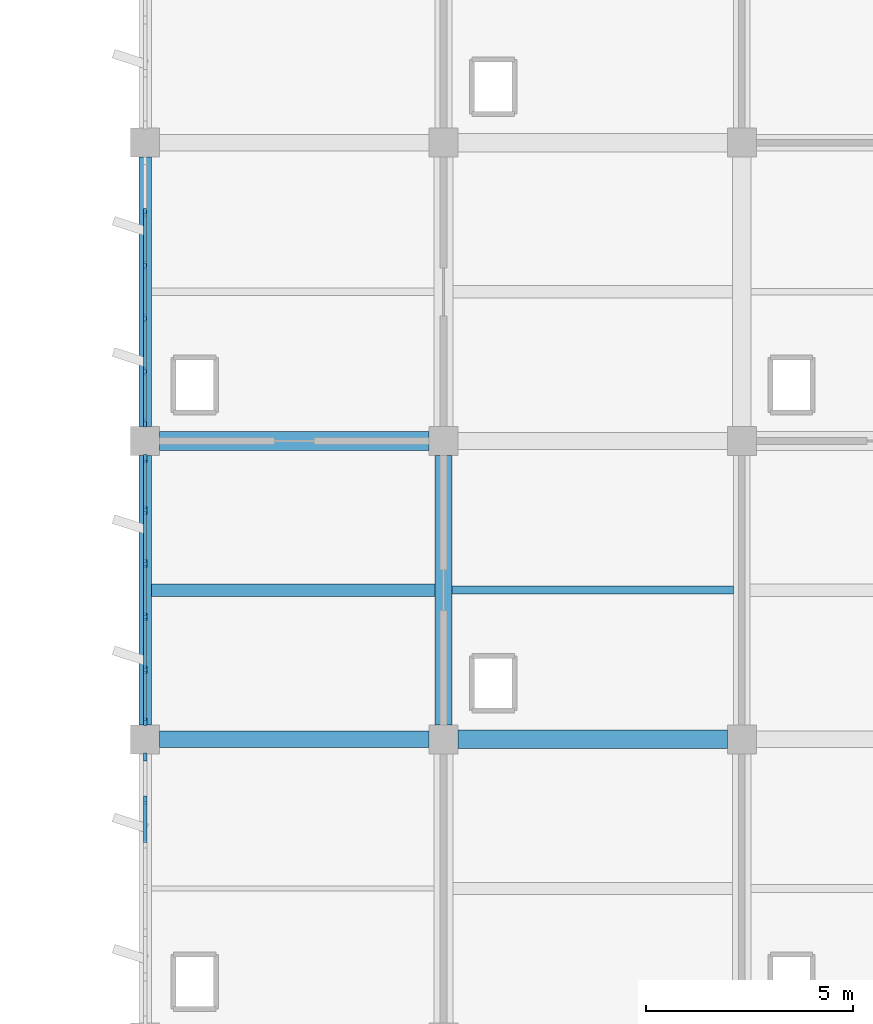
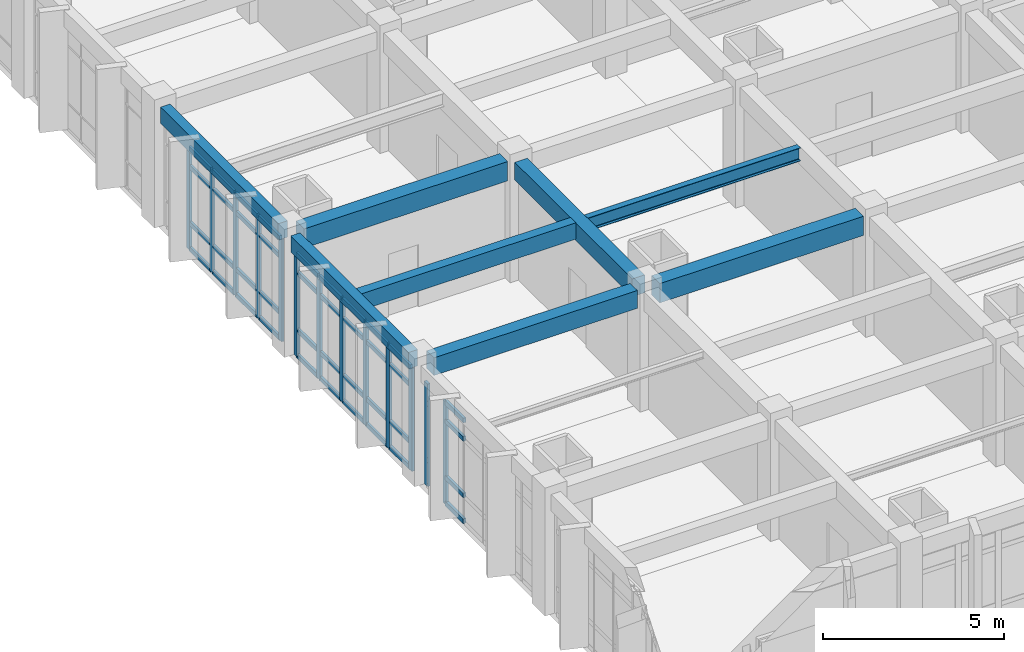
# One storey, part 15 of 70: 54 members, 7 beams, 3 elements without a shape of their own.
"""IFC4 building model written with IfcOpenShell, lengths in metres."""

from ifc_helpers import new_model, si_unit, direction, frame, origin, origin_2d, place, context, subcontext, project, spatial, rectangle, i_section, extrude, material, layer, layer_set, material_profile, profile_set, type_object, element, aggregate, save


model = new_model("IFC4")

# Units and contexts
model_context = context("Model", 3, precision=1e-05, world=origin(), true_north=direction((0.0, 1.0)))
body_context = subcontext(model_context, "Body", "Model", "MODEL_VIEW")
ifc_project = project(units=[si_unit("LENGTHUNIT", "METRE"), si_unit("AREAUNIT", "SQUARE_METRE"), si_unit("VOLUMEUNIT", "CUBIC_METRE"), si_unit("PLANEANGLEUNIT", "RADIAN"), si_unit("MASSUNIT", "GRAM", prefix="KILO")], contexts=[model_context])

# Site, building, storey
site_placement = place(None, origin())
site = spatial("IfcSite", under=ifc_project, at=site_placement, CompositionType="ELEMENT")
building_placement = place(site_placement, origin())
building = spatial("IfcBuilding", under=site, at=building_placement, Name="Kavelor Marine Aquarium", CompositionType="ELEMENT")
storey_placement = place(building_placement, frame((0.0, 0.0, 9.179931640625)))
storey = spatial("IfcBuildingStorey", under=building, at=storey_placement, Name="L02", CompositionType="ELEMENT", Elevation=9.179931640625)

# Beams
ifc_material_1 = material(Name="Concrete C40/50", Category="concrete")
ifc_material_profile_1 = material_profile(ifc_material_1, rectangle(XDim=0.449951171875, YDim=0.64990234375, at=origin_2d()), Name="RC-BM 450x650")
ifc_profile_set_1 = profile_set([ifc_material_profile_1], Name="Concrete C40/50")
beam_type_1 = type_object("IfcBeamType", Name="BM-B3", PredefinedType="BEAM", material=ifc_profile_set_1)
for number, where, z_axis, x_axis, name in (
    (1, (118.75, 74.800048828125, 3.695068359375), (1.0, 0.0, 0.0), (0.0, 1.0, 0.0), "bm:x:L02:L03:16_10"),
    (2, (125.949951171875, 67.60009765625, 3.695068359375), (1.0, 0.0, 0.0), (0.0, 1.0, 0.0), "bm:x:L02:L03:17_09"),
):
    element("IfcBeam", number, at=place(storey_placement, frame(where, z_axis=z_axis, x_axis=x_axis)), inside=storey, type_object=beam_type_1, Name=name, PredefinedType="BEAM", context=body_context, shape_type="SweptSolid", body=[
        extrude(rectangle(XDim=0.449951171875, YDim=0.64990234375, at=origin_2d()), origin(), (0.0, 0.0, 1.0), 6.5),
    ])
ifc_material_2 = material(Name="Concrete C40/50", Category="concrete")
ifc_material_profile_2 = material_profile(ifc_material_2, rectangle(XDim=0.39990234375, YDim=0.60009765625, at=origin_2d()), Name="RC-BM 400x600")
ifc_profile_set_2 = profile_set([ifc_material_profile_2], Name="Concrete C40/50")
beam_type_2 = type_object("IfcBeamType", Name="BM-B4", PredefinedType="BEAM", material=ifc_profile_set_2)
for number, where, z_axis, x_axis, name in (
    (3, (118.75, 67.60009765625, 3.719970703125), (1.0, 0.0, 0.0), (0.0, 1.0, 0.0), "bm:x:L02:L03:16_09"),
    (4, (125.60009765625, 67.949951171875, 3.719970703125), (0.0, 1.0, 0.0), (-1.0, 0.0, 0.0), "bm:y:L02:L03:17_09"),
):
    element("IfcBeam", number, at=place(storey_placement, frame(where, z_axis=z_axis, x_axis=x_axis)), inside=storey, type_object=beam_type_2, Name=name, PredefinedType="BEAM", context=body_context, shape_type="SweptSolid", body=[
        extrude(rectangle(XDim=0.39990234375, YDim=0.60009765625, at=origin_2d()), origin(), (0.0, 0.0, 1.0), 6.5),
    ])
ifc_material_3 = material(Name="Concrete C40/50", Category="concrete")
ifc_material_profile_3 = material_profile(ifc_material_3, rectangle(XDim=0.300048828125, YDim=0.550048828125, at=origin_2d()), Name="RC-JS 300x550")
ifc_profile_set_3 = profile_set([ifc_material_profile_3], Name="Concrete C40/50")
beam_type_3 = type_object("IfcBeamType", Name="BM-JS2", PredefinedType="JOIST", material=ifc_profile_set_3)
beam_placement = place(storey_placement, frame((118.550048828125, 71.199951171875, 3.76513671875), z_axis=(1.0, 0.0, 0.0), x_axis=(0.0, 1.0, 0.0)))
element("IfcBeam", 5, at=beam_placement, inside=storey, type_object=beam_type_3, Name="js:L02:L03:16_09", PredefinedType="JOIST", context=body_context, shape_type="SweptSolid", body=[
    extrude(rectangle(XDim=0.300048828125, YDim=0.550048828125, at=origin_2d()), origin(), (0.0, 0.0, 1.0), 6.849853515625),
])
ifc_material_4 = material(Name="Concrete C40/50", Category="concrete")
ifc_material_profile_4 = material_profile(ifc_material_4, rectangle(XDim=0.300048828125, YDim=0.550048828125, at=origin_2d()), Name="RC-SP 300x550")
ifc_profile_set_4 = profile_set([ifc_material_profile_4], Name="Concrete C40/50")
beam_type_4 = type_object("IfcBeamType", Name="BM-SP2", PredefinedType="SPANDREL", material=ifc_profile_set_4)
for number, where, z_axis, x_axis, name in (
    (6, (118.39990234375, 67.949951171875, 3.76513671875), (0.0, 1.0, 0.0), (-1.0, 0.0, 0.0), "bm:y:L02:L03:16_09"),
    (7, (118.39990234375, 75.14990234375, 3.7451171875), (0.0, 1.0, 0.0), (-1.0, 0.0, 0.0), "bm:y:L02:L03:16_10"),
):
    element("IfcBeam", number, at=place(storey_placement, frame(where, z_axis=z_axis, x_axis=x_axis)), inside=storey, type_object=beam_type_4, Name=name, PredefinedType="SPANDREL", context=body_context, shape_type="SweptSolid", body=[
        extrude(rectangle(XDim=0.300048828125, YDim=0.550048828125, at=origin_2d()), origin(), (0.0, 0.0, 1.0), 6.5),
    ])

# Curtain wall, members
ifc_material_5 = material(Name="Thermally Broken Aluminium and Low-E Glass", Category="aluminium")
ifc_layer_1 = layer(ifc_material_5, 0.196044921875)
ifc_layer_set_1 = layer_set([ifc_layer_1], Name="CW-SYS7")
curtain_wall_type_1 = type_object("IfcCurtainWallType", Name="CW-SYS7", PredefinedType="USERDEFINED", material=ifc_layer_set_1)
curtain_wall_1_placement = place(storey_placement, origin())
curtain_wall_1 = element("IfcCurtainWall", 8, at=curtain_wall_1_placement, inside=storey, type_object=curtain_wall_type_1, Name="cw:y:L02:16_10", ObjectType="Curtain Wall", PredefinedType="USERDEFINED")
ifc_material_6 = material(Name="Anodised Aluminium Alloy 6063-T6", Category="aluminium")
ifc_material_profile_5 = material_profile(ifc_material_6, rectangle(XDim=0.074951171875, YDim=0.179931640625, at=origin_2d()), Name="CW-MUL 75x180")
ifc_profile_set_5 = profile_set([ifc_material_profile_5], Name="Anodised Aluminium Alloy 6063-T6")
member_type_1 = type_object("IfcMemberType", Name="CWM-1", PredefinedType="MULLION", material=ifc_profile_set_5)
member_1_placement = place(storey_placement, frame((118.39990234375, 80.322998046875, 0.0), z_axis=(0.0, 0.0, 1.0), x_axis=(1.0, 0.0, 0.0)))
member_1 = element("IfcMember", 9, at=member_1_placement, type_object=member_type_1, Name="CW07 mullion 2", PredefinedType="MULLION", context=body_context, shape_type="SweptSolid", body=[
    extrude(rectangle(XDim=0.074951171875, YDim=0.179931640625, at=origin_2d()), origin(), (0.0, 0.0, 1.0), 3.4599609375),
])
member_2_placement = place(storey_placement, frame((118.39990234375, 79.041015625, 0.0), z_axis=(0.0, 0.0, 1.0), x_axis=(1.0, 0.0, 0.0)))
member_2 = element("IfcMember", 10, at=member_2_placement, type_object=member_type_1, Name="CW07 mullion 3", PredefinedType="MULLION", context=body_context, shape_type="SweptSolid", body=[
    extrude(rectangle(XDim=0.074951171875, YDim=0.179931640625, at=origin_2d()), origin(), (0.0, 0.0, 1.0), 3.4599609375),
])
member_3_placement = place(storey_placement, frame((118.39990234375, 77.759033203125, 0.0), z_axis=(0.0, 0.0, 1.0), x_axis=(1.0, 0.0, 0.0)))
member_3 = element("IfcMember", 11, at=member_3_placement, type_object=member_type_1, Name="CW07 mullion 4", PredefinedType="MULLION", context=body_context, shape_type="SweptSolid", body=[
    extrude(rectangle(XDim=0.074951171875, YDim=0.179931640625, at=origin_2d()), origin(), (0.0, 0.0, 1.0), 3.4599609375),
])
member_4_placement = place(storey_placement, frame((118.39990234375, 76.47705078125, 0.0), z_axis=(0.0, 0.0, 1.0), x_axis=(1.0, 0.0, 0.0)))
member_4 = element("IfcMember", 12, at=member_4_placement, type_object=member_type_1, Name="CW07 mullion 5", PredefinedType="MULLION", context=body_context, shape_type="SweptSolid", body=[
    extrude(rectangle(XDim=0.074951171875, YDim=0.179931640625, at=origin_2d()), origin(), (0.0, 0.0, 1.0), 3.4599609375),
])
member_5_placement = place(storey_placement, frame((118.39990234375, 75.232421875, 0.0), z_axis=(0.0, 0.0, 1.0), x_axis=(1.0, 0.0, 0.0)))
member_5 = element("IfcMember", 13, at=member_5_placement, type_object=member_type_1, Name="CW07 mullion 6", PredefinedType="MULLION", context=body_context, shape_type="SweptSolid", body=[
    extrude(rectangle(XDim=0.074951171875, YDim=0.179931640625, at=origin_2d()), origin(), (0.0, 0.0, 1.0), 3.4599609375),
])

ifc_material_7 = material(Name="Thermally Broken Aluminium and Low-E Glass", Category="aluminium")
ifc_layer_2 = layer(ifc_material_7, 0.179931640625)
ifc_layer_set_2 = layer_set([ifc_layer_2], Name="CW-SYS5")
curtain_wall_type_2 = type_object("IfcCurtainWallType", Name="CW-SYS5", PredefinedType="USERDEFINED", material=ifc_layer_set_2)
curtain_wall_2_placement = place(storey_placement, origin())
curtain_wall_2 = element("IfcCurtainWall", 14, at=curtain_wall_2_placement, inside=storey, type_object=curtain_wall_type_2, Name="cw:y:L02:16_08", ObjectType="Curtain Wall", PredefinedType="USERDEFINED")
ifc_material_8 = material(Name="Anodised Aluminium Alloy 6063-T6", Category="aluminium")
ifc_material_profile_6 = material_profile(ifc_material_8, rectangle(XDim=0.080078125, YDim=0.18505859375, at=origin_2d()), Name="CW-MUL 80x185")
ifc_profile_set_6 = profile_set([ifc_material_profile_6], Name="Anodised Aluminium Alloy 6063-T6")
member_type_2 = type_object("IfcMemberType", Name="CWM-2", PredefinedType="MULLION", material=ifc_profile_set_6)
member_6_placement = place(storey_placement, frame((118.39990234375, 67.172607421875, 0.0), z_axis=(0.0, 0.0, 1.0), x_axis=(1.0, 0.0, 0.0)))
member_6 = element("IfcMember", 15, at=member_6_placement, type_object=member_type_2, Name="CW05 mullion 1", PredefinedType="MULLION", context=body_context, shape_type="SweptSolid", body=[
    extrude(rectangle(XDim=0.080078125, YDim=0.18505859375, at=origin_2d()), origin(), (0.0, 0.0, 1.0), 3.4599609375),
])
member_7_placement = place(storey_placement, frame((118.39990234375, 66.13671875, 0.0), z_axis=(0.0, 0.0, 1.0), x_axis=(1.0, 0.0, 0.0)))
member_7 = element("IfcMember", 16, at=member_7_placement, type_object=member_type_2, Name="CW05 mullion 2", PredefinedType="MULLION", context=body_context, shape_type="SweptSolid", body=[
    extrude(rectangle(XDim=0.080078125, YDim=0.18505859375, at=origin_2d()), origin(), (0.0, 0.0, 1.0), 3.4599609375),
])

ifc_material_9 = material(Name="Thermally Broken Aluminium and Low-E Glass", Category="aluminium")
ifc_layer_3 = layer(ifc_material_9, 0.18798828125)
ifc_layer_set_3 = layer_set([ifc_layer_3], Name="CW-SYS6")
curtain_wall_type_3 = type_object("IfcCurtainWallType", Name="CW-SYS6", PredefinedType="USERDEFINED", material=ifc_layer_set_3)
curtain_wall_3_placement = place(storey_placement, origin())
curtain_wall_3 = element("IfcCurtainWall", 17, at=curtain_wall_3_placement, inside=storey, type_object=curtain_wall_type_3, Name="cw:y:L02:16_09", ObjectType="Curtain Wall", PredefinedType="USERDEFINED")
ifc_material_10 = material(Name="Anodised Aluminium Alloy 6063-T6", Category="aluminium")
ifc_material_profile_7 = material_profile(ifc_material_10, rectangle(XDim=0.0849609375, YDim=0.18994140625, at=origin_2d()), Name="CW-MUL 85x190")
ifc_profile_set_7 = profile_set([ifc_material_profile_7], Name="Anodised Aluminium Alloy 6063-T6")
member_type_3 = type_object("IfcMemberType", Name="CWM-3", PredefinedType="MULLION", material=ifc_profile_set_7)
member_8_placement = place(storey_placement, frame((118.39990234375, 74.375, 0.0), z_axis=(0.0, 0.0, 1.0), x_axis=(1.0, 0.0, 0.0)))
member_8 = element("IfcMember", 18, at=member_8_placement, type_object=member_type_3, Name="CW06 mullion 1", PredefinedType="MULLION", context=body_context, shape_type="SweptSolid", body=[
    extrude(rectangle(XDim=0.0849609375, YDim=0.18994140625, at=origin_2d()), origin(), (0.0, 0.0, 1.0), 3.47998046875),
])
member_9_placement = place(storey_placement, frame((118.39990234375, 73.123046875, 0.0), z_axis=(0.0, 0.0, 1.0), x_axis=(1.0, 0.0, 0.0)))
member_9 = element("IfcMember", 19, at=member_9_placement, type_object=member_type_3, Name="CW06 mullion 2", PredefinedType="MULLION", context=body_context, shape_type="SweptSolid", body=[
    extrude(rectangle(XDim=0.0849609375, YDim=0.18994140625, at=origin_2d()), origin(), (0.0, 0.0, 1.0), 3.47998046875),
])
member_10_placement = place(storey_placement, frame((118.39990234375, 71.841064453125, 0.0), z_axis=(0.0, 0.0, 1.0), x_axis=(1.0, 0.0, 0.0)))
member_10 = element("IfcMember", 20, at=member_10_placement, type_object=member_type_3, Name="CW06 mullion 3", PredefinedType="MULLION", context=body_context, shape_type="SweptSolid", body=[
    extrude(rectangle(XDim=0.0849609375, YDim=0.18994140625, at=origin_2d()), origin(), (0.0, 0.0, 1.0), 3.47998046875),
])
member_11_placement = place(storey_placement, frame((118.39990234375, 70.55908203125, 0.0), z_axis=(0.0, 0.0, 1.0), x_axis=(1.0, 0.0, 0.0)))
member_11 = element("IfcMember", 21, at=member_11_placement, type_object=member_type_3, Name="CW06 mullion 4", PredefinedType="MULLION", context=body_context, shape_type="SweptSolid", body=[
    extrude(rectangle(XDim=0.0849609375, YDim=0.18994140625, at=origin_2d()), origin(), (0.0, 0.0, 1.0), 3.47998046875),
])
member_12_placement = place(storey_placement, frame((118.39990234375, 69.277099609375, 0.0), z_axis=(0.0, 0.0, 1.0), x_axis=(1.0, 0.0, 0.0)))
member_12 = element("IfcMember", 22, at=member_12_placement, type_object=member_type_3, Name="CW06 mullion 5", PredefinedType="MULLION", context=body_context, shape_type="SweptSolid", body=[
    extrude(rectangle(XDim=0.0849609375, YDim=0.18994140625, at=origin_2d()), origin(), (0.0, 0.0, 1.0), 3.47998046875),
])
member_13_placement = place(storey_placement, frame((118.39990234375, 68.02490234375, 0.0), z_axis=(0.0, 0.0, 1.0), x_axis=(1.0, 0.0, 0.0)))
member_13 = element("IfcMember", 23, at=member_13_placement, type_object=member_type_3, Name="CW06 mullion 6", PredefinedType="MULLION", context=body_context, shape_type="SweptSolid", body=[
    extrude(rectangle(XDim=0.0849609375, YDim=0.18994140625, at=origin_2d()), origin(), (0.0, 0.0, 1.0), 3.47998046875),
])
ifc_material_11 = material(Name="Anodised Aluminium Alloy 6063-T6", Category="aluminium")
ifc_material_profile_8 = material_profile(ifc_material_11, rectangle(XDim=0.074951171875, YDim=0.14990234375, at=origin_2d()), Name="CW-TRN 75x150")
ifc_profile_set_8 = profile_set([ifc_material_profile_8], Name="Anodised Aluminium Alloy 6063-T6")
member_type_4 = type_object("IfcMemberType", Name="CWT-1", PredefinedType="USERDEFINED", material=ifc_profile_set_8)
member_14_placement = place(storey_placement, frame((118.39990234375, 74.344970703125, 0.03759765625), z_axis=(0.0, -1.0, 0.0), x_axis=(1.0, 0.0, 0.0)))
member_14 = element("IfcMember", 24, at=member_14_placement, type_object=member_type_4, Name="CW06 transom 1.1", ObjectType="TRANSOM", PredefinedType="USERDEFINED", context=body_context, shape_type="SweptSolid", body=[
    extrude(rectangle(XDim=0.074951171875, YDim=0.14990234375, at=origin_2d()), origin(), (0.0, 0.0, 1.0), 1.19189453125),
])
member_15_placement = place(storey_placement, frame((118.39990234375, 74.344970703125, 0.900146484375), z_axis=(0.0, -1.0, 0.0), x_axis=(1.0, 0.0, 0.0)))
member_15 = element("IfcMember", 25, at=member_15_placement, type_object=member_type_4, Name="CW06 transom 1.2", ObjectType="TRANSOM", PredefinedType="USERDEFINED", context=body_context, shape_type="SweptSolid", body=[
    extrude(rectangle(XDim=0.074951171875, YDim=0.14990234375, at=origin_2d()), origin(), (0.0, 0.0, 1.0), 1.19189453125),
])
member_16_placement = place(storey_placement, frame((118.39990234375, 74.344970703125, 2.830078125), z_axis=(0.0, -1.0, 0.0), x_axis=(1.0, 0.0, 0.0)))
member_16 = element("IfcMember", 26, at=member_16_placement, type_object=member_type_4, Name="CW06 transom 1.3", ObjectType="TRANSOM", PredefinedType="USERDEFINED", context=body_context, shape_type="SweptSolid", body=[
    extrude(rectangle(XDim=0.074951171875, YDim=0.14990234375, at=origin_2d()), origin(), (0.0, 0.0, 1.0), 1.19189453125),
])
member_17_placement = place(storey_placement, frame((118.39990234375, 74.344970703125, 3.442626953125), z_axis=(0.0, -1.0, 0.0), x_axis=(1.0, 0.0, 0.0)))
member_17 = element("IfcMember", 27, at=member_17_placement, type_object=member_type_4, Name="CW06 transom 1.4", ObjectType="TRANSOM", PredefinedType="USERDEFINED", context=body_context, shape_type="SweptSolid", body=[
    extrude(rectangle(XDim=0.074951171875, YDim=0.14990234375, at=origin_2d()), origin(), (0.0, 0.0, 1.0), 1.19189453125),
])
member_18_placement = place(storey_placement, frame((118.39990234375, 73.093017578125, 0.03759765625), z_axis=(0.0, -1.0, 0.0), x_axis=(1.0, 0.0, 0.0)))
member_18 = element("IfcMember", 28, at=member_18_placement, type_object=member_type_4, Name="CW06 transom 2.1", ObjectType="TRANSOM", PredefinedType="USERDEFINED", context=body_context, shape_type="SweptSolid", body=[
    extrude(rectangle(XDim=0.074951171875, YDim=0.14990234375, at=origin_2d()), origin(), (0.0, 0.0, 1.0), 1.221923828125),
])
member_19_placement = place(storey_placement, frame((118.39990234375, 73.093017578125, 0.900146484375), z_axis=(0.0, -1.0, 0.0), x_axis=(1.0, 0.0, 0.0)))
member_19 = element("IfcMember", 29, at=member_19_placement, type_object=member_type_4, Name="CW06 transom 2.2", ObjectType="TRANSOM", PredefinedType="USERDEFINED", context=body_context, shape_type="SweptSolid", body=[
    extrude(rectangle(XDim=0.074951171875, YDim=0.14990234375, at=origin_2d()), origin(), (0.0, 0.0, 1.0), 1.221923828125),
])
member_20_placement = place(storey_placement, frame((118.39990234375, 73.093017578125, 2.830078125), z_axis=(0.0, -1.0, 0.0), x_axis=(1.0, 0.0, 0.0)))
member_20 = element("IfcMember", 30, at=member_20_placement, type_object=member_type_4, Name="CW06 transom 2.3", ObjectType="TRANSOM", PredefinedType="USERDEFINED", context=body_context, shape_type="SweptSolid", body=[
    extrude(rectangle(XDim=0.074951171875, YDim=0.14990234375, at=origin_2d()), origin(), (0.0, 0.0, 1.0), 1.221923828125),
])
member_21_placement = place(storey_placement, frame((118.39990234375, 73.093017578125, 3.442626953125), z_axis=(0.0, -1.0, 0.0), x_axis=(1.0, 0.0, 0.0)))
member_21 = element("IfcMember", 31, at=member_21_placement, type_object=member_type_4, Name="CW06 transom 2.4", ObjectType="TRANSOM", PredefinedType="USERDEFINED", context=body_context, shape_type="SweptSolid", body=[
    extrude(rectangle(XDim=0.074951171875, YDim=0.14990234375, at=origin_2d()), origin(), (0.0, 0.0, 1.0), 1.221923828125),
])
member_22_placement = place(storey_placement, frame((118.39990234375, 71.81103515625, 0.03759765625), z_axis=(0.0, -1.0, 0.0), x_axis=(1.0, 0.0, 0.0)))
member_22 = element("IfcMember", 32, at=member_22_placement, type_object=member_type_4, Name="CW06 transom 3.1", ObjectType="TRANSOM", PredefinedType="USERDEFINED", context=body_context, shape_type="SweptSolid", body=[
    extrude(rectangle(XDim=0.074951171875, YDim=0.14990234375, at=origin_2d()), origin(), (0.0, 0.0, 1.0), 1.221923828125),
])
member_23_placement = place(storey_placement, frame((118.39990234375, 71.81103515625, 0.900146484375), z_axis=(0.0, -1.0, 0.0), x_axis=(1.0, 0.0, 0.0)))
member_23 = element("IfcMember", 33, at=member_23_placement, type_object=member_type_4, Name="CW06 transom 3.2", ObjectType="TRANSOM", PredefinedType="USERDEFINED", context=body_context, shape_type="SweptSolid", body=[
    extrude(rectangle(XDim=0.074951171875, YDim=0.14990234375, at=origin_2d()), origin(), (0.0, 0.0, 1.0), 1.221923828125),
])
member_24_placement = place(storey_placement, frame((118.39990234375, 71.81103515625, 2.830078125), z_axis=(0.0, -1.0, 0.0), x_axis=(1.0, 0.0, 0.0)))
member_24 = element("IfcMember", 34, at=member_24_placement, type_object=member_type_4, Name="CW06 transom 3.3", ObjectType="TRANSOM", PredefinedType="USERDEFINED", context=body_context, shape_type="SweptSolid", body=[
    extrude(rectangle(XDim=0.074951171875, YDim=0.14990234375, at=origin_2d()), origin(), (0.0, 0.0, 1.0), 1.221923828125),
])
member_25_placement = place(storey_placement, frame((118.39990234375, 71.81103515625, 3.442626953125), z_axis=(0.0, -1.0, 0.0), x_axis=(1.0, 0.0, 0.0)))
member_25 = element("IfcMember", 35, at=member_25_placement, type_object=member_type_4, Name="CW06 transom 3.4", ObjectType="TRANSOM", PredefinedType="USERDEFINED", context=body_context, shape_type="SweptSolid", body=[
    extrude(rectangle(XDim=0.074951171875, YDim=0.14990234375, at=origin_2d()), origin(), (0.0, 0.0, 1.0), 1.221923828125),
])
member_26_placement = place(storey_placement, frame((118.39990234375, 70.529052734375, 0.03759765625), z_axis=(0.0, -1.0, 0.0), x_axis=(1.0, 0.0, 0.0)))
member_26 = element("IfcMember", 36, at=member_26_placement, type_object=member_type_4, Name="CW06 transom 4.1", ObjectType="TRANSOM", PredefinedType="USERDEFINED", context=body_context, shape_type="SweptSolid", body=[
    extrude(rectangle(XDim=0.074951171875, YDim=0.14990234375, at=origin_2d()), origin(), (0.0, 0.0, 1.0), 1.22216796875),
])
member_27_placement = place(storey_placement, frame((118.39990234375, 70.529052734375, 0.900146484375), z_axis=(0.0, -1.0, 0.0), x_axis=(1.0, 0.0, 0.0)))
member_27 = element("IfcMember", 37, at=member_27_placement, type_object=member_type_4, Name="CW06 transom 4.2", ObjectType="TRANSOM", PredefinedType="USERDEFINED", context=body_context, shape_type="SweptSolid", body=[
    extrude(rectangle(XDim=0.074951171875, YDim=0.14990234375, at=origin_2d()), origin(), (0.0, 0.0, 1.0), 1.22216796875),
])
member_28_placement = place(storey_placement, frame((118.39990234375, 70.529052734375, 2.830078125), z_axis=(0.0, -1.0, 0.0), x_axis=(1.0, 0.0, 0.0)))
member_28 = element("IfcMember", 38, at=member_28_placement, type_object=member_type_4, Name="CW06 transom 4.3", ObjectType="TRANSOM", PredefinedType="USERDEFINED", context=body_context, shape_type="SweptSolid", body=[
    extrude(rectangle(XDim=0.074951171875, YDim=0.14990234375, at=origin_2d()), origin(), (0.0, 0.0, 1.0), 1.22216796875),
])
member_29_placement = place(storey_placement, frame((118.39990234375, 70.529052734375, 3.442626953125), z_axis=(0.0, -1.0, 0.0), x_axis=(1.0, 0.0, 0.0)))
member_29 = element("IfcMember", 39, at=member_29_placement, type_object=member_type_4, Name="CW06 transom 4.4", ObjectType="TRANSOM", PredefinedType="USERDEFINED", context=body_context, shape_type="SweptSolid", body=[
    extrude(rectangle(XDim=0.074951171875, YDim=0.14990234375, at=origin_2d()), origin(), (0.0, 0.0, 1.0), 1.22216796875),
])
member_30_placement = place(storey_placement, frame((118.39990234375, 69.2470703125, 0.03759765625), z_axis=(0.0, -1.0, 0.0), x_axis=(1.0, 0.0, 0.0)))
member_30 = element("IfcMember", 40, at=member_30_placement, type_object=member_type_4, Name="CW06 transom 5.1", ObjectType="TRANSOM", PredefinedType="USERDEFINED", context=body_context, shape_type="SweptSolid", body=[
    extrude(rectangle(XDim=0.074951171875, YDim=0.14990234375, at=origin_2d()), origin(), (0.0, 0.0, 1.0), 1.192138671875),
])
member_31_placement = place(storey_placement, frame((118.39990234375, 69.2470703125, 0.900146484375), z_axis=(0.0, -1.0, 0.0), x_axis=(1.0, 0.0, 0.0)))
member_31 = element("IfcMember", 41, at=member_31_placement, type_object=member_type_4, Name="CW06 transom 5.2", ObjectType="TRANSOM", PredefinedType="USERDEFINED", context=body_context, shape_type="SweptSolid", body=[
    extrude(rectangle(XDim=0.074951171875, YDim=0.14990234375, at=origin_2d()), origin(), (0.0, 0.0, 1.0), 1.192138671875),
])
member_32_placement = place(storey_placement, frame((118.39990234375, 69.2470703125, 2.830078125), z_axis=(0.0, -1.0, 0.0), x_axis=(1.0, 0.0, 0.0)))
member_32 = element("IfcMember", 42, at=member_32_placement, type_object=member_type_4, Name="CW06 transom 5.3", ObjectType="TRANSOM", PredefinedType="USERDEFINED", context=body_context, shape_type="SweptSolid", body=[
    extrude(rectangle(XDim=0.074951171875, YDim=0.14990234375, at=origin_2d()), origin(), (0.0, 0.0, 1.0), 1.192138671875),
])
member_33_placement = place(storey_placement, frame((118.39990234375, 69.2470703125, 3.442626953125), z_axis=(0.0, -1.0, 0.0), x_axis=(1.0, 0.0, 0.0)))
member_33 = element("IfcMember", 43, at=member_33_placement, type_object=member_type_4, Name="CW06 transom 5.4", ObjectType="TRANSOM", PredefinedType="USERDEFINED", context=body_context, shape_type="SweptSolid", body=[
    extrude(rectangle(XDim=0.074951171875, YDim=0.14990234375, at=origin_2d()), origin(), (0.0, 0.0, 1.0), 1.192138671875),
])
aggregate(curtain_wall_3, [member_8, member_9, member_10, member_11, member_12, member_13, member_14, member_15, member_16, member_17, member_18, member_19, member_20, member_21, member_22, member_23, member_24, member_25, member_26, member_27, member_28, member_29, member_30, member_31, member_32, member_33])

# Member
member_34_placement = place(storey_placement, frame((118.39990234375, 80.285400390625, 0.03759765625), z_axis=(0.0, -1.0, 0.0), x_axis=(1.0, 0.0, 0.0)))
member_34 = element("IfcMember", 44, at=member_34_placement, type_object=member_type_4, Name="CW07 transom 2.1", ObjectType="TRANSOM", PredefinedType="USERDEFINED", context=body_context, shape_type="SweptSolid", body=[
    extrude(rectangle(XDim=0.074951171875, YDim=0.14990234375, at=origin_2d()), origin(), (0.0, 0.0, 1.0), 1.206787109375),
])

member_35_placement = place(storey_placement, frame((118.39990234375, 80.285400390625, 0.900146484375), z_axis=(0.0, -1.0, 0.0), x_axis=(1.0, 0.0, 0.0)))
member_35 = element("IfcMember", 45, at=member_35_placement, type_object=member_type_4, Name="CW07 transom 2.2", ObjectType="TRANSOM", PredefinedType="USERDEFINED", context=body_context, shape_type="SweptSolid", body=[
    extrude(rectangle(XDim=0.074951171875, YDim=0.14990234375, at=origin_2d()), origin(), (0.0, 0.0, 1.0), 1.206787109375),
])

member_36_placement = place(storey_placement, frame((118.39990234375, 80.285400390625, 2.81005859375), z_axis=(0.0, -1.0, 0.0), x_axis=(1.0, 0.0, 0.0)))
member_36 = element("IfcMember", 46, at=member_36_placement, type_object=member_type_4, Name="CW07 transom 2.3", ObjectType="TRANSOM", PredefinedType="USERDEFINED", context=body_context, shape_type="SweptSolid", body=[
    extrude(rectangle(XDim=0.074951171875, YDim=0.14990234375, at=origin_2d()), origin(), (0.0, 0.0, 1.0), 1.206787109375),
])

member_37_placement = place(storey_placement, frame((118.39990234375, 80.285400390625, 3.422607421875), z_axis=(0.0, -1.0, 0.0), x_axis=(1.0, 0.0, 0.0)))
member_37 = element("IfcMember", 47, at=member_37_placement, type_object=member_type_4, Name="CW07 transom 2.4", ObjectType="TRANSOM", PredefinedType="USERDEFINED", context=body_context, shape_type="SweptSolid", body=[
    extrude(rectangle(XDim=0.074951171875, YDim=0.14990234375, at=origin_2d()), origin(), (0.0, 0.0, 1.0), 1.206787109375),
])

member_38_placement = place(storey_placement, frame((118.39990234375, 79.00341796875, 0.03759765625), z_axis=(0.0, -1.0, 0.0), x_axis=(1.0, 0.0, 0.0)))
member_38 = element("IfcMember", 48, at=member_38_placement, type_object=member_type_4, Name="CW07 transom 3.1", ObjectType="TRANSOM", PredefinedType="USERDEFINED", context=body_context, shape_type="SweptSolid", body=[
    extrude(rectangle(XDim=0.074951171875, YDim=0.14990234375, at=origin_2d()), origin(), (0.0, 0.0, 1.0), 1.20703125),
])

member_39_placement = place(storey_placement, frame((118.39990234375, 79.00341796875, 0.900146484375), z_axis=(0.0, -1.0, 0.0), x_axis=(1.0, 0.0, 0.0)))
member_39 = element("IfcMember", 49, at=member_39_placement, type_object=member_type_4, Name="CW07 transom 3.2", ObjectType="TRANSOM", PredefinedType="USERDEFINED", context=body_context, shape_type="SweptSolid", body=[
    extrude(rectangle(XDim=0.074951171875, YDim=0.14990234375, at=origin_2d()), origin(), (0.0, 0.0, 1.0), 1.20703125),
])

member_40_placement = place(storey_placement, frame((118.39990234375, 79.00341796875, 2.81005859375), z_axis=(0.0, -1.0, 0.0), x_axis=(1.0, 0.0, 0.0)))
member_40 = element("IfcMember", 50, at=member_40_placement, type_object=member_type_4, Name="CW07 transom 3.3", ObjectType="TRANSOM", PredefinedType="USERDEFINED", context=body_context, shape_type="SweptSolid", body=[
    extrude(rectangle(XDim=0.074951171875, YDim=0.14990234375, at=origin_2d()), origin(), (0.0, 0.0, 1.0), 1.20703125),
])

member_41_placement = place(storey_placement, frame((118.39990234375, 79.00341796875, 3.422607421875), z_axis=(0.0, -1.0, 0.0), x_axis=(1.0, 0.0, 0.0)))
member_41 = element("IfcMember", 51, at=member_41_placement, type_object=member_type_4, Name="CW07 transom 3.4", ObjectType="TRANSOM", PredefinedType="USERDEFINED", context=body_context, shape_type="SweptSolid", body=[
    extrude(rectangle(XDim=0.074951171875, YDim=0.14990234375, at=origin_2d()), origin(), (0.0, 0.0, 1.0), 1.20703125),
])

member_42_placement = place(storey_placement, frame((118.39990234375, 77.721435546875, 0.03759765625), z_axis=(0.0, -1.0, 0.0), x_axis=(1.0, 0.0, 0.0)))
member_42 = element("IfcMember", 52, at=member_42_placement, type_object=member_type_4, Name="CW07 transom 4.1", ObjectType="TRANSOM", PredefinedType="USERDEFINED", context=body_context, shape_type="SweptSolid", body=[
    extrude(rectangle(XDim=0.074951171875, YDim=0.14990234375, at=origin_2d()), origin(), (0.0, 0.0, 1.0), 1.20703125),
])

member_43_placement = place(storey_placement, frame((118.39990234375, 77.721435546875, 0.900146484375), z_axis=(0.0, -1.0, 0.0), x_axis=(1.0, 0.0, 0.0)))
member_43 = element("IfcMember", 53, at=member_43_placement, type_object=member_type_4, Name="CW07 transom 4.2", ObjectType="TRANSOM", PredefinedType="USERDEFINED", context=body_context, shape_type="SweptSolid", body=[
    extrude(rectangle(XDim=0.074951171875, YDim=0.14990234375, at=origin_2d()), origin(), (0.0, 0.0, 1.0), 1.20703125),
])

member_44_placement = place(storey_placement, frame((118.39990234375, 77.721435546875, 2.81005859375), z_axis=(0.0, -1.0, 0.0), x_axis=(1.0, 0.0, 0.0)))
member_44 = element("IfcMember", 54, at=member_44_placement, type_object=member_type_4, Name="CW07 transom 4.3", ObjectType="TRANSOM", PredefinedType="USERDEFINED", context=body_context, shape_type="SweptSolid", body=[
    extrude(rectangle(XDim=0.074951171875, YDim=0.14990234375, at=origin_2d()), origin(), (0.0, 0.0, 1.0), 1.20703125),
])

member_45_placement = place(storey_placement, frame((118.39990234375, 77.721435546875, 3.422607421875), z_axis=(0.0, -1.0, 0.0), x_axis=(1.0, 0.0, 0.0)))
member_45 = element("IfcMember", 55, at=member_45_placement, type_object=member_type_4, Name="CW07 transom 4.4", ObjectType="TRANSOM", PredefinedType="USERDEFINED", context=body_context, shape_type="SweptSolid", body=[
    extrude(rectangle(XDim=0.074951171875, YDim=0.14990234375, at=origin_2d()), origin(), (0.0, 0.0, 1.0), 1.20703125),
])

member_46_placement = place(storey_placement, frame((118.39990234375, 76.439453125, 0.03759765625), z_axis=(0.0, -1.0, 0.0), x_axis=(1.0, 0.0, 0.0)))
member_46 = element("IfcMember", 56, at=member_46_placement, type_object=member_type_4, Name="CW07 transom 5.1", ObjectType="TRANSOM", PredefinedType="USERDEFINED", context=body_context, shape_type="SweptSolid", body=[
    extrude(rectangle(XDim=0.074951171875, YDim=0.14990234375, at=origin_2d()), origin(), (0.0, 0.0, 1.0), 1.16943359375),
])

member_47_placement = place(storey_placement, frame((118.39990234375, 76.439453125, 0.900146484375), z_axis=(0.0, -1.0, 0.0), x_axis=(1.0, 0.0, 0.0)))
member_47 = element("IfcMember", 57, at=member_47_placement, type_object=member_type_4, Name="CW07 transom 5.2", ObjectType="TRANSOM", PredefinedType="USERDEFINED", context=body_context, shape_type="SweptSolid", body=[
    extrude(rectangle(XDim=0.074951171875, YDim=0.14990234375, at=origin_2d()), origin(), (0.0, 0.0, 1.0), 1.16943359375),
])

member_48_placement = place(storey_placement, frame((118.39990234375, 76.439453125, 2.81005859375), z_axis=(0.0, -1.0, 0.0), x_axis=(1.0, 0.0, 0.0)))
member_48 = element("IfcMember", 58, at=member_48_placement, type_object=member_type_4, Name="CW07 transom 5.3", ObjectType="TRANSOM", PredefinedType="USERDEFINED", context=body_context, shape_type="SweptSolid", body=[
    extrude(rectangle(XDim=0.074951171875, YDim=0.14990234375, at=origin_2d()), origin(), (0.0, 0.0, 1.0), 1.16943359375),
])

member_49_placement = place(storey_placement, frame((118.39990234375, 76.439453125, 3.422607421875), z_axis=(0.0, -1.0, 0.0), x_axis=(1.0, 0.0, 0.0)))
member_49 = element("IfcMember", 59, at=member_49_placement, type_object=member_type_4, Name="CW07 transom 5.4", ObjectType="TRANSOM", PredefinedType="USERDEFINED", context=body_context, shape_type="SweptSolid", body=[
    extrude(rectangle(XDim=0.074951171875, YDim=0.14990234375, at=origin_2d()), origin(), (0.0, 0.0, 1.0), 1.16943359375),
])

aggregate(curtain_wall_1, [member_1, member_2, member_3, member_4, member_5, member_34, member_35, member_36, member_37, member_38, member_39, member_40, member_41, member_42, member_43, member_44, member_45, member_46, member_47, member_48, member_49])

ifc_material_12 = material(Name="Anodised Aluminium Alloy 6063-T6", Category="aluminium")
ifc_material_profile_9 = material_profile(ifc_material_12, rectangle(XDim=0.0849609375, YDim=0.159912109375, at=origin_2d()), Name="CW-TRN 85x160")
ifc_profile_set_9 = profile_set([ifc_material_profile_9], Name="Anodised Aluminium Alloy 6063-T6")
member_type_5 = type_object("IfcMemberType", Name="CWT-3", PredefinedType="USERDEFINED", material=ifc_profile_set_9)
member_50_placement = place(storey_placement, frame((118.39990234375, 66.104248046875, 0.030029296875), z_axis=(0.0, -1.0, 0.0), x_axis=(1.0, 0.0, 0.0)))
member_50 = element("IfcMember", 60, at=member_50_placement, type_object=member_type_5, Name="CW05 transom 2.1", ObjectType="TRANSOM", PredefinedType="USERDEFINED", context=body_context, shape_type="SweptSolid", body=[
    extrude(rectangle(XDim=0.0849609375, YDim=0.159912109375, at=origin_2d()), origin(), (0.0, 0.0, 1.0), 1.00341796875),
])

member_51_placement = place(storey_placement, frame((118.39990234375, 66.104248046875, 0.900146484375), z_axis=(0.0, -1.0, 0.0), x_axis=(1.0, 0.0, 0.0)))
member_51 = element("IfcMember", 61, at=member_51_placement, type_object=member_type_5, Name="CW05 transom 2.2", ObjectType="TRANSOM", PredefinedType="USERDEFINED", context=body_context, shape_type="SweptSolid", body=[
    extrude(rectangle(XDim=0.0849609375, YDim=0.159912109375, at=origin_2d()), origin(), (0.0, 0.0, 1.0), 1.00341796875),
])

member_52_placement = place(storey_placement, frame((118.39990234375, 66.104248046875, 2.81005859375), z_axis=(0.0, -1.0, 0.0), x_axis=(1.0, 0.0, 0.0)))
member_52 = element("IfcMember", 62, at=member_52_placement, type_object=member_type_5, Name="CW05 transom 2.3", ObjectType="TRANSOM", PredefinedType="USERDEFINED", context=body_context, shape_type="SweptSolid", body=[
    extrude(rectangle(XDim=0.0849609375, YDim=0.159912109375, at=origin_2d()), origin(), (0.0, 0.0, 1.0), 1.00341796875),
])

member_53_placement = place(storey_placement, frame((118.39990234375, 66.104248046875, 3.43017578125), z_axis=(0.0, -1.0, 0.0), x_axis=(1.0, 0.0, 0.0)))
member_53 = element("IfcMember", 63, at=member_53_placement, type_object=member_type_5, Name="CW05 transom 2.4", ObjectType="TRANSOM", PredefinedType="USERDEFINED", context=body_context, shape_type="SweptSolid", body=[
    extrude(rectangle(XDim=0.0849609375, YDim=0.159912109375, at=origin_2d()), origin(), (0.0, 0.0, 1.0), 1.00341796875),
])

aggregate(curtain_wall_2, [member_6, member_7, member_50, member_51, member_52, member_53])

ifc_material_13 = material(Name="Steel S355", Category="steel")
ifc_material_profile_10 = material_profile(ifc_material_13, i_section(OverallWidth=0.18994140625, OverallDepth=0.449951171875, WebThickness=0.009521484375, FlangeThickness=0.0146484375, FilletRadius=0.02099609375, at=origin_2d()), Name="IPE 450")
ifc_profile_set_10 = profile_set([ifc_material_profile_10], Name="Steel S355")
member_type_6 = type_object("IfcMemberType", Name="PR-SJ2", PredefinedType="PURLIN", material=ifc_profile_set_10)
member_54_placement = place(storey_placement, frame((125.800048828125, 71.199951171875, 3.795166015625), z_axis=(1.0, 0.0, 0.0), x_axis=(0.0, 1.0, 0.0)))
element("IfcMember", 64, at=member_54_placement, inside=storey, type_object=member_type_6, Name="js:L02:L03:17_09", PredefinedType="PURLIN", context=body_context, shape_type="SweptSolid", body=[
    extrude(i_section(OverallWidth=0.18994140625, OverallDepth=0.449951171875, WebThickness=0.009521484375, FlangeThickness=0.0146484375, FilletRadius=0.02099609375, at=origin_2d()), origin(), (0.0, 0.0, 1.0), 6.800048828125),
])

save(model, "model.ifc")
